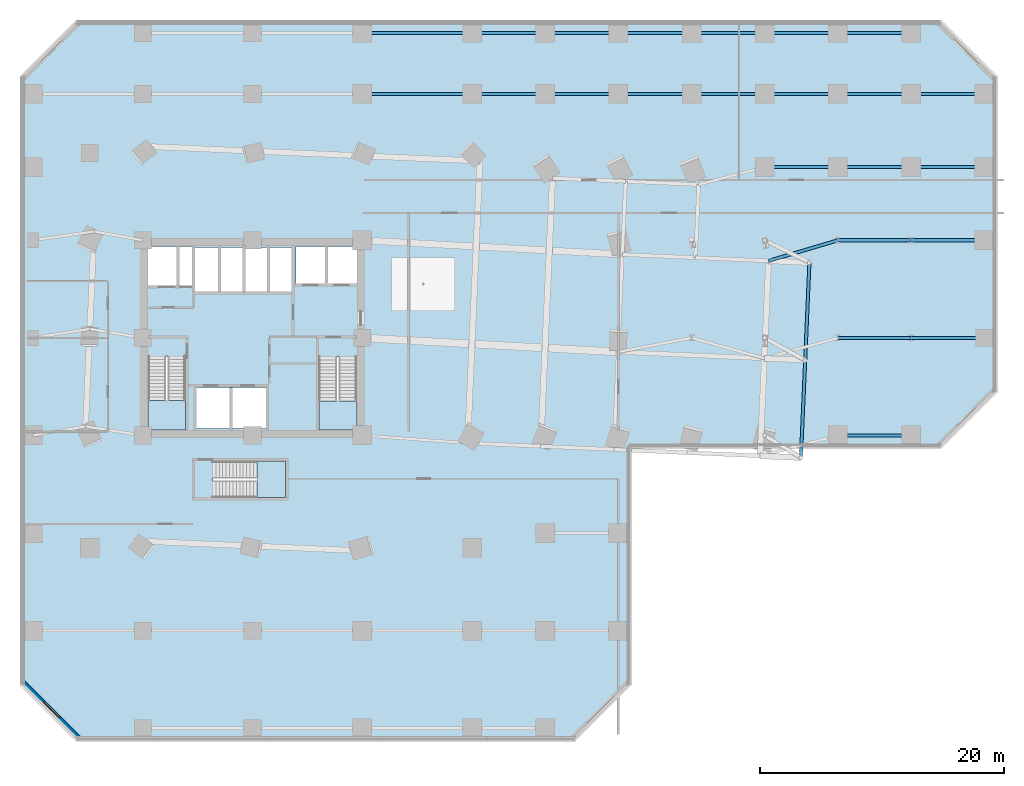
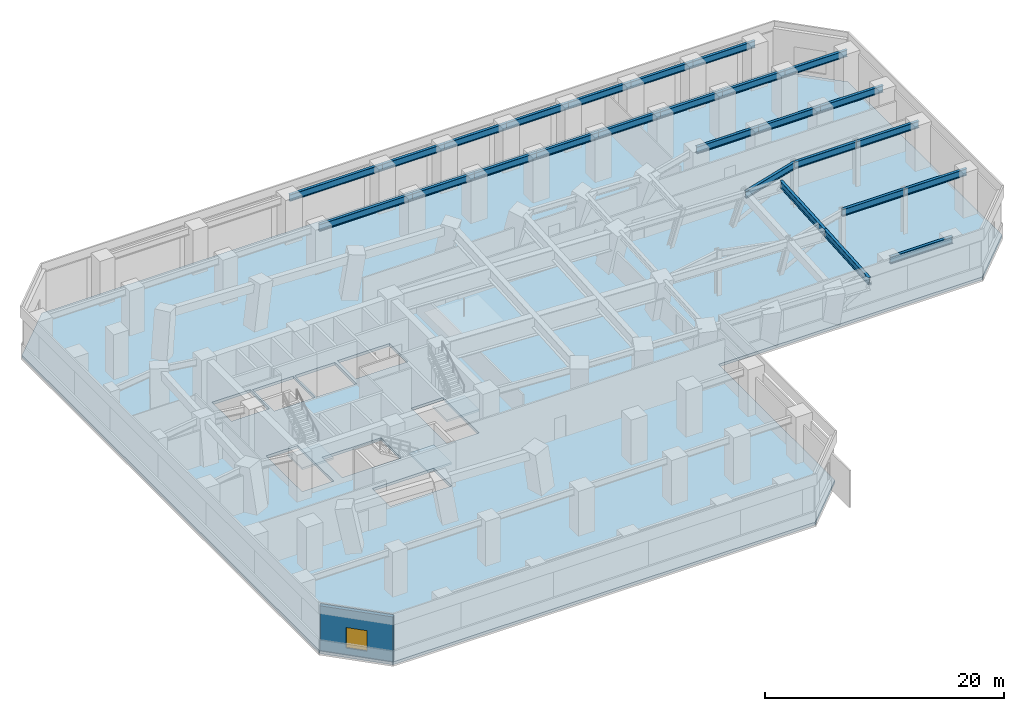
# One storey, part 3 of 14: 26 beams, 4 slabs, 1 wall, 1 window, 1 opening, 3 elements without a shape of their own.
"""IFC4 building model written with IfcOpenShell, lengths in metres."""

from ifc_helpers import new_model, si_unit, direction, frame, frame_2d, origin, origin_2d, place, context, subcontext, project, spatial, polyline, rectangle, i_section, outline, extrude, source, transform, mapped, material, layer, layer_set, material_profile, profile_set, type_object, element, fill, aggregate, save


model = new_model("IFC4")

# Units and contexts
model_context = context("Model", 3, precision=1e-05, world=origin(), true_north=direction((0.0, 1.0)))
body_context = subcontext(model_context, "Body", "Model", "MODEL_VIEW")
ifc_project = project(units=[si_unit("LENGTHUNIT", "METRE"), si_unit("AREAUNIT", "SQUARE_METRE"), si_unit("VOLUMEUNIT", "CUBIC_METRE"), si_unit("PLANEANGLEUNIT", "RADIAN"), si_unit("MASSUNIT", "GRAM", prefix="KILO")], contexts=[model_context])

# Site, building, storey
site_placement = place(None, origin())
site = spatial("IfcSite", under=ifc_project, at=site_placement, CompositionType="ELEMENT")
building_placement = place(site_placement, origin())
building = spatial("IfcBuilding", under=site, at=building_placement, Name="Torre Montelarca", CompositionType="ELEMENT")
storey_placement = place(building_placement, frame((0.0, 0.0, 28.0)))
storey = spatial("IfcBuildingStorey", under=building, at=storey_placement, Name="L06", CompositionType="ELEMENT", Elevation=28.0)

# Beams
ifc_material_1 = material(Name="Steel ASTM A992 Grade 50", Category="steel")
ifc_material_profile_1 = material_profile(ifc_material_1, i_section(OverallWidth=0.256103515625, OverallDepth=0.693115234375, WebThickness=0.014404296875, FlangeThickness=0.023681640625, FilletRadius=0.01806640625, at=origin_2d()), Name="W690X170", Category="steel")
ifc_profile_set_1 = profile_set([ifc_material_profile_1], Name="Steel ASTM A992 Grade 50")
beam_type_1 = type_object("IfcBeamType", Name="BM-G-W690", PredefinedType="BEAM", material=ifc_profile_set_1)
shared_shape_1 = source(origin(), body_context, "Body", "SweptSolid", [
    extrude(i_section(OverallWidth=0.256103515625, OverallDepth=0.693115234375, WebThickness=0.014404296875, FlangeThickness=0.023681640625, FilletRadius=0.01806640625, at=origin_2d()), origin(), (0.0, 0.0, 1.0), 9.0),
])
for number, where, z_axis, x_axis, name in (
    (1, (27.0, 52.0, 4.154052734375), (1.0, 0.0, 0.0), (0.0, 1.0, 0.0), "L06 Podium Roof Cap Girder 27-36 Y=52m"),
    (2, (27.0, 57.0, 4.154052734375), (1.0, 0.0, 0.0), (0.0, 1.0, 0.0), "L06 Podium Roof Cap Girder 27-36 Y=57m"),
):
    element("IfcBeam", number, at=place(storey_placement, frame(where, z_axis=z_axis, x_axis=x_axis)), inside=storey, type_object=beam_type_1, Name=name, PredefinedType="BEAM", context=body_context, shape_type="MappedRepresentation", body=[
        mapped(shared_shape_1, transform((0.0, 0.0, 0.0), scale=1.0)),
    ])
shared_shape_2 = source(origin(), body_context, "Body", "SweptSolid", [
    extrude(i_section(OverallWidth=0.256103515625, OverallDepth=0.693115234375, WebThickness=0.014404296875, FlangeThickness=0.023681640625, FilletRadius=0.01806640625, at=origin_2d()), origin(), (0.0, 0.0, 1.0), 6.0),
])
for number, where, z_axis, x_axis, name in (
    (3, (66.0, 24.0, 4.154052734375), (1.0, 0.0, 0.0), (0.0, 1.0, 0.0), "L06 Podium Roof Cap Girder 66-72 Y=24m"),
    (4, (66.0, 32.0, 4.154052734375), (1.0, 0.0, 0.0), (0.0, 1.0, 0.0), "L06 Podium Roof Cap Girder 66-72 Y=32m"),
    (5, (72.0, 32.0, 4.154052734375), (1.0, 0.0, 0.0), (0.0, 1.0, 0.0), "L06 Podium Roof Cap Girder 72-78 Y=32m"),
    (6, (66.0, 40.0, 4.154052734375), (1.0, 0.0, 0.0), (0.0, 1.0, 0.0), "L06 Podium Roof Cap Girder 66-72 Y=40m"),
    (7, (72.0, 40.0, 4.154052734375), (1.0, 0.0, 0.0), (0.0, 1.0, 0.0), "L06 Podium Roof Cap Girder 72-78 Y=40m"),
    (8, (60.0, 46.0, 4.154052734375), (1.0, 0.0, 0.0), (0.0, 1.0, 0.0), "L06 Podium Roof Cap Girder 60-66 Y=46m"),
    (9, (66.0, 46.0, 4.154052734375), (1.0, 0.0, 0.0), (0.0, 1.0, 0.0), "L06 Podium Roof Cap Girder 66-72 Y=46m"),
    (10, (72.0, 46.0, 4.154052734375), (1.0, 0.0, 0.0), (0.0, 1.0, 0.0), "L06 Podium Roof Cap Girder 72-78 Y=46m"),
    (11, (36.0, 52.0, 4.154052734375), (1.0, 0.0, 0.0), (0.0, 1.0, 0.0), "L06 Podium Roof Cap Girder 36-42 Y=52m"),
    (12, (42.0, 52.0, 4.154052734375), (1.0, 0.0, 0.0), (0.0, 1.0, 0.0), "L06 Podium Roof Cap Girder 42-48 Y=52m"),
    (13, (48.0, 52.0, 4.154052734375), (1.0, 0.0, 0.0), (0.0, 1.0, 0.0), "L06 Podium Roof Cap Girder 48-54 Y=52m"),
    (14, (54.0, 52.0, 4.154052734375), (1.0, 0.0, 0.0), (0.0, 1.0, 0.0), "L06 Podium Roof Cap Girder 54-60 Y=52m"),
    (15, (60.0, 52.0, 4.154052734375), (1.0, 0.0, 0.0), (0.0, 1.0, 0.0), "L06 Podium Roof Cap Girder 60-66 Y=52m"),
    (16, (66.0, 52.0, 4.154052734375), (1.0, 0.0, 0.0), (0.0, 1.0, 0.0), "L06 Podium Roof Cap Girder 66-72 Y=52m"),
    (17, (72.0, 52.0, 4.154052734375), (1.0, 0.0, 0.0), (0.0, 1.0, 0.0), "L06 Podium Roof Cap Girder 72-78 Y=52m"),
    (18, (36.0, 57.0, 4.154052734375), (1.0, 0.0, 0.0), (0.0, 1.0, 0.0), "L06 Podium Roof Cap Girder 36-42 Y=57m"),
    (19, (42.0, 57.0, 4.154052734375), (1.0, 0.0, 0.0), (0.0, 1.0, 0.0), "L06 Podium Roof Cap Girder 42-48 Y=57m"),
    (20, (48.0, 57.0, 4.154052734375), (1.0, 0.0, 0.0), (0.0, 1.0, 0.0), "L06 Podium Roof Cap Girder 48-54 Y=57m"),
    (21, (54.0, 57.0, 4.154052734375), (1.0, 0.0, 0.0), (0.0, 1.0, 0.0), "L06 Podium Roof Cap Girder 54-60 Y=57m"),
    (22, (60.0, 57.0, 4.154052734375), (1.0, 0.0, 0.0), (0.0, 1.0, 0.0), "L06 Podium Roof Cap Girder 60-66 Y=57m"),
    (23, (66.0, 57.0, 4.154052734375), (1.0, 0.0, 0.0), (0.0, 1.0, 0.0), "L06 Podium Roof Cap Girder 66-72 Y=57m"),
):
    element("IfcBeam", number, at=place(storey_placement, frame(where, z_axis=z_axis, x_axis=x_axis)), inside=storey, type_object=beam_type_1, Name=name, PredefinedType="BEAM", context=body_context, shape_type="MappedRepresentation", body=[
        mapped(shared_shape_2, transform((0.0, 0.0, 0.0), scale=1.0)),
    ])
shared_shape_3 = source(origin(), body_context, "Body", "SweptSolid", [
    extrude(i_section(OverallWidth=0.256103515625, OverallDepth=0.693115234375, WebThickness=0.014404296875, FlangeThickness=0.023681640625, FilletRadius=0.01806640625, at=origin_2d()), origin(), (0.0, 0.0, 1.0), 5.9326171875),
])
beam_placement = place(storey_placement, frame((60.312255859375, 38.31298828125, 4.154052734375), z_axis=(0.958717534627, 0.284360139257, 0.0), x_axis=(-0.284360139257, 0.958717534627, 0.0)))
element("IfcBeam", 24, at=beam_placement, inside=storey, type_object=beam_type_1, Name="L06 Podium Roof Cap Girder 60-66 Y=40m", PredefinedType="BEAM", context=body_context, shape_type="MappedRepresentation", body=[
    mapped(shared_shape_3, transform((0.0, 0.0, 0.0), scale=1.0)),
])
ifc_material_profile_2 = material_profile(ifc_material_1, i_section(OverallWidth=0.256103515625, OverallDepth=0.693115234375, WebThickness=0.014404296875, FlangeThickness=0.023681640625, FilletRadius=0.01806640625, at=origin_2d()), Name="W690X170", Category="steel")
ifc_profile_set_2 = profile_set([ifc_material_profile_2], Name="Steel ASTM A992 Grade 50")
beam_type_2 = type_object("IfcBeamType", Name="BM-G-W690-EXT", PredefinedType="BEAM", material=ifc_profile_set_2)
shared_shape_4 = source(origin(), body_context, "Body", "SweptSolid", [
    extrude(i_section(OverallWidth=0.256103515625, OverallDepth=0.693115234375, WebThickness=0.014404296875, FlangeThickness=0.023681640625, FilletRadius=0.01806640625, at=origin_2d()), origin(), (0.0, 0.0, 1.0), 8.0),
])
for number, where, z_axis, x_axis, name in (
    (25, (62.961181640625, 22.18212890625, 4.173095703125), (0.043639847242, 0.999047328074, 0.0), (-0.999047328074, 0.043639847242, 0.0), "L06 Sliding Tray Edge Girder East 24-32m (FLR)"),
    (26, (63.310302734375, 30.174560546875, 4.173095703125), (0.043609387923, 0.999048658117, 0.0), (-0.999048658117, 0.043609387923, 0.0), "L06 Sliding Tray Edge Girder East 32-40m (FLR)"),
):
    element("IfcBeam", number, at=place(storey_placement, frame(where, z_axis=z_axis, x_axis=x_axis)), inside=storey, type_object=beam_type_2, Name=name, PredefinedType="BEAM", context=body_context, shape_type="MappedRepresentation", body=[
        mapped(shared_shape_4, transform((0.0, 0.0, 0.0), scale=1.0)),
    ])

# Slab
ifc_material_2 = material(Name="Concrete C40/50", Category="concrete")
ifc_layer_1 = layer(ifc_material_2, 0.280029296875, Name="Concrete C40/50", Category="concrete")
ifc_layer_set_1 = layer_set([ifc_layer_1], Name="Concrete C40/50")
slab_type_1 = type_object("IfcSlabType", Name="SL-FLR-280", PredefinedType="FLOOR", material=ifc_layer_set_1)
slab_1_placement = place(storey_placement, frame((0.0, 0.0, -0.280029296875)))
element("IfcSlab", 27, at=slab_1_placement, inside=storey, type_object=slab_type_1, Name="L06 Structural Floor Slab", PredefinedType="FLOOR", context=body_context, shape_type="SweptSolid", body=[
    extrude(outline(polyline([(44.39990234375, -0.89990234375), (48.89990234375, 3.60009765625), (48.89990234375, 23.10009765625), (74.39990234375, 23.10009765625), (78.89990234375, 27.60009765625), (78.89990234375, 53.39990234375), (74.39990234375, 57.89990234375), (3.60009765625, 57.89990234375), (-0.89990234375, 53.39990234375), (-0.89990234375, 3.60009765625), (3.60009765625, -0.89990234375), (44.39990234375, -0.89990234375)]), holes=[polyline([(20.699951171875, 18.89990234375), (14.760009765625, 18.89990234375), (14.760009765625, 21.889892578125), (20.699951171875, 21.889892578125), (20.699951171875, 18.89990234375)]), polyline([(19.10009765625, 24.550048828125), (13.39990234375, 24.550048828125), (13.39990234375, 27.949951171875), (19.10009765625, 27.949951171875), (19.10009765625, 24.550048828125)]), polyline([(23.43994140625, 24.449951171875), (23.43994140625, 30.429931640625), (26.550048828125, 30.429931640625), (26.550048828125, 24.449951171875), (23.43994140625, 24.449951171875)]), polyline([(9.449951171875, 24.449951171875), (9.449951171875, 30.4599609375), (12.5, 30.4599609375), (12.5, 24.449951171875), (9.449951171875, 24.449951171875)]), polyline([(17.25, 35.800048828125), (13.300048828125, 35.800048828125), (13.300048828125, 39.39990234375), (17.25, 39.39990234375), (17.25, 35.800048828125)]), polyline([(21.25, 35.800048828125), (17.39990234375, 35.800048828125), (17.39990234375, 39.39990234375), (21.25, 39.39990234375), (21.25, 35.800048828125)]), polyline([(13.1201171875, 36.300048828125), (9.449951171875, 36.300048828125), (9.449951171875, 39.5), (13.1201171875, 39.5), (13.1201171875, 36.300048828125)]), polyline([(26.60009765625, 36.449951171875), (21.550048828125, 36.449951171875), (21.550048828125, 39.5), (26.60009765625, 39.5), (26.60009765625, 36.449951171875)])]), origin(), (0.0, 0.0, 1.0), 0.280029296875),
])

# Stair, slab
stair_type_1 = type_object("IfcStairType", Name="ST-CORE-ST1", PredefinedType="HALF_TURN_STAIR", material=ifc_material_2)
stair_1_placement = place(storey_placement, origin())
stair_1 = element("IfcStair", 28, at=stair_1_placement, inside=storey, type_object=stair_type_1, Name="L06 Protected Exit Stair ST1", PredefinedType="HALF_TURN_STAIR")
ifc_layer_2 = layer(ifc_material_2, 0.199951171875, Name="Concrete C40/50", Category="concrete")
ifc_layer_set_2 = layer_set([ifc_layer_2], Name="Concrete C40/50")
slab_type_2 = type_object("IfcSlabType", Name="SL-ST-LAND-ST1", PredefinedType="LANDING", material=ifc_layer_set_2)
slab_2_placement = place(storey_placement, frame((0.0, 0.0, 2.199951171875)))
slab_2 = element("IfcSlab", 29, at=slab_2_placement, type_object=slab_type_2, Name="ST1 landing 1", PredefinedType="LANDING", context=body_context, shape_type="SweptSolid", body=[
    extrude(outline(polyline([(9.449951171875, 26.860107421875), (9.449951171875, 24.449951171875), (12.5, 24.449951171875), (12.5, 26.860107421875), (9.449951171875, 26.860107421875)])), origin(), (0.0, 0.0, 1.0), 0.199951171875),
])
aggregate(stair_1, [slab_2])

stair_type_2 = type_object("IfcStairType", Name="ST-CORE-ST2", PredefinedType="HALF_TURN_STAIR", material=ifc_material_2)
stair_2_placement = place(storey_placement, origin())
stair_2 = element("IfcStair", 30, at=stair_2_placement, inside=storey, type_object=stair_type_2, Name="L06 Protected Exit Stair ST2", PredefinedType="HALF_TURN_STAIR")
ifc_layer_3 = layer(ifc_material_2, 0.199951171875, Name="Concrete C40/50", Category="concrete")
ifc_layer_set_3 = layer_set([ifc_layer_3], Name="Concrete C40/50")
slab_type_3 = type_object("IfcSlabType", Name="SL-ST-LAND-ST2", PredefinedType="LANDING", material=ifc_layer_set_3)
slab_3_placement = place(storey_placement, frame((0.0, 0.0, 2.199951171875)))
slab_3 = element("IfcSlab", 31, at=slab_3_placement, type_object=slab_type_3, Name="ST2 landing 1", PredefinedType="LANDING", context=body_context, shape_type="SweptSolid", body=[
    extrude(outline(polyline([(23.43994140625, 26.830078125), (23.43994140625, 24.449951171875), (26.550048828125, 24.449951171875), (26.550048828125, 26.830078125), (23.43994140625, 26.830078125)])), origin(), (0.0, 0.0, 1.0), 0.199951171875),
])
aggregate(stair_2, [slab_3])

stair_type_3 = type_object("IfcStairType", Name="ST-CORE-ST3", PredefinedType="HALF_TURN_STAIR", material=ifc_material_2)
stair_3_placement = place(storey_placement, origin())
stair_3 = element("IfcStair", 32, at=stair_3_placement, inside=storey, type_object=stair_type_3, Name="L06 Low-Rise Exit Stair ST3", PredefinedType="HALF_TURN_STAIR")
ifc_layer_4 = layer(ifc_material_2, 0.199951171875, Name="Concrete C40/50", Category="concrete")
ifc_layer_set_4 = layer_set([ifc_layer_4], Name="Concrete C40/50")
slab_type_4 = type_object("IfcSlabType", Name="SL-ST-LAND-ST3", PredefinedType="LANDING", material=ifc_layer_set_4)
slab_4_placement = place(storey_placement, frame((0.0, 0.0, 2.199951171875)))
slab_4 = element("IfcSlab", 33, at=slab_4_placement, type_object=slab_type_4, Name="ST3 landing 1", PredefinedType="LANDING", context=body_context, shape_type="SweptSolid", body=[
    extrude(outline(polyline([(18.360107421875, 18.89990234375), (20.699951171875, 18.89990234375), (20.699951171875, 21.889892578125), (18.360107421875, 21.889892578125), (18.360107421875, 18.89990234375)])), origin(), (0.0, 0.0, 1.0), 0.199951171875),
])
aggregate(stair_3, [slab_4])

# Wall, opening, window
ifc_material_3 = material(Name="Precast concrete C45/55", Category="concrete")
ifc_layer_5 = layer(ifc_material_3, 0.320068359375, Name="Precast concrete C45/55", Category="concrete")
ifc_layer_set_5 = layer_set([ifc_layer_5], Name="Precast concrete C45/55")
wall_type = type_object("IfcWallType", Name="EW-CONC-320", PredefinedType="SOLIDWALL", material=ifc_layer_set_5)
wall_placement = place(storey_placement, frame((-0.744384765625, 3.755615234375, 0.0), z_axis=(0.0, 0.0, 1.0), x_axis=(0.707106781187, -0.707106781187, 0.0)))
wall = element("IfcWall", 34, at=wall_placement, inside=storey, type_object=wall_type, Name="L06 Podium Precast Concrete Wall E11", PredefinedType="SOLIDWALL", context=body_context, shape_type="SweptSolid", body=[
    extrude(rectangle(XDim=6.364013671875, YDim=0.320068359375, at=frame_2d((3.18212890625, 0.0))), origin(), (0.0, 0.0, 1.0), 4.56005859375),
])
opening_placement = place(wall_placement, frame((2.281982421875, 0.0, 0.64990234375)))
opening = element("IfcOpeningElement", 35, at=opening_placement, cuts=wall, Name="Opening W-06", PredefinedType="OPENING", context=body_context, shape_type="SweptSolid", body=[
    extrude(rectangle(XDim=1.800048828125, YDim=2.10009765625, at=frame_2d((0.89990234375, 1.050048828125))), frame((0.0, 0.169921875, 0.0), z_axis=(0.0, -1.0, 0.0), x_axis=(1.0, 0.0, 0.0)), (0.0, 0.0, 1.0), 0.340087890625),
])
ifc_material_4 = material(Name="Insulated low-E laminated glass in aluminium frame", Category="aluminium")
window_type = type_object("IfcWindowType", Name="WIN-W06", PartitioningType="SINGLE_PANEL", PredefinedType="WINDOW", material=ifc_material_4)
shared_shape_5 = source(origin(), body_context, "Body", "SweptSolid", [
    extrude(rectangle(XDim=1.800048828125, YDim=2.10009765625, at=frame_2d((0.89990234375, 1.050048828125))), frame((0.0, 0.030029296875, 0.0), z_axis=(0.0, -1.0, 0.0), x_axis=(1.0, 0.0, 0.0)), (0.0, 0.0, 1.0), 0.06005859375),
])
window_placement = place(opening_placement, origin())
window = element("IfcWindow", 36, at=window_placement, inside=storey, type_object=window_type, Name="L06 Podium Chamfer Feature Window E11", OverallHeight=2.10009765625, OverallWidth=1.800048828125, PartitioningType="SINGLE_PANEL", PredefinedType="WINDOW", context=body_context, shape_type="MappedRepresentation", body=[
    mapped(shared_shape_5, transform((0.0, 0.0, 0.0), scale=1.0)),
])
fill(opening, window)

save(model, "model.ifc")
